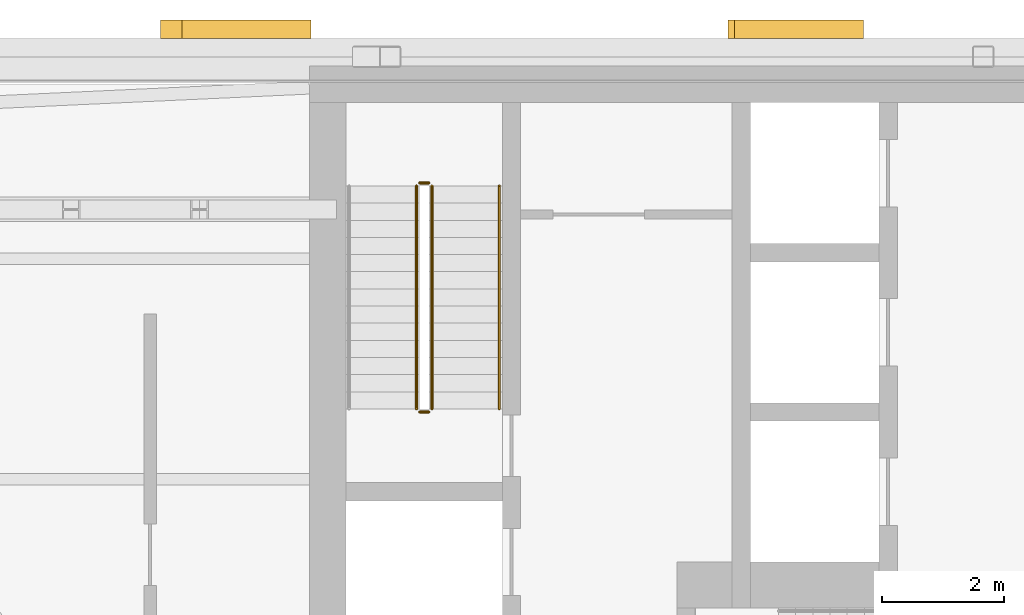
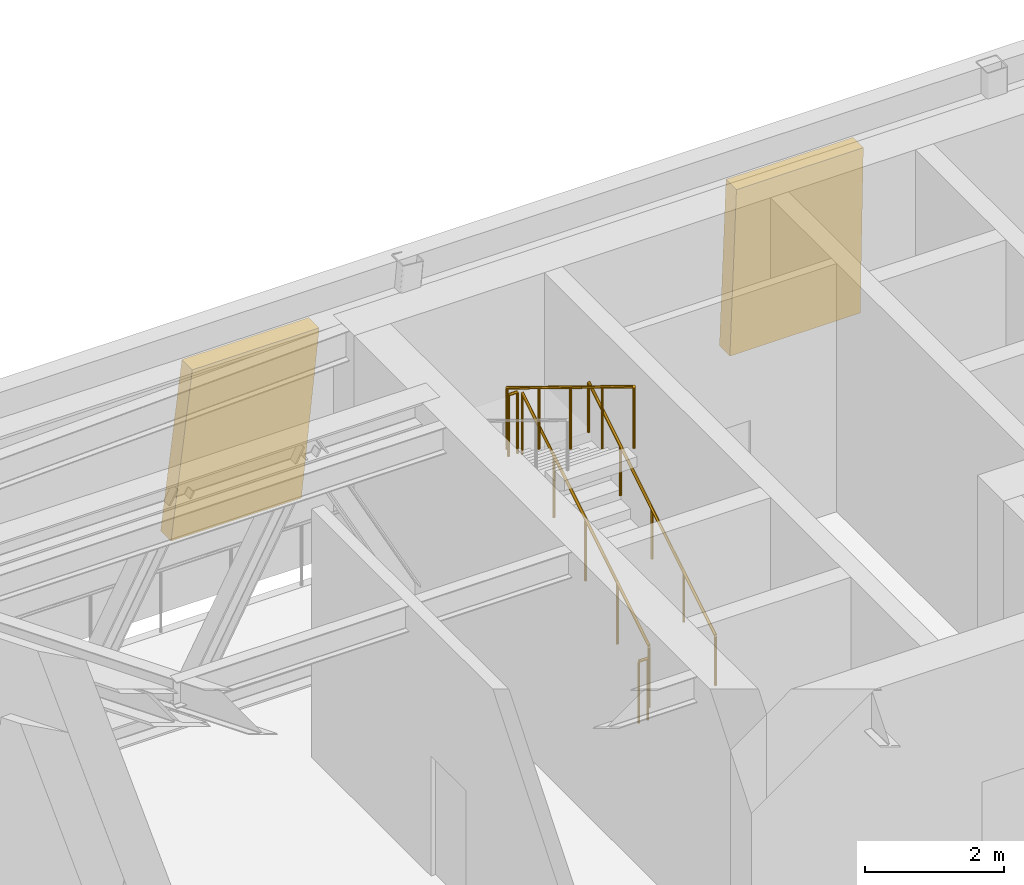
# One storey, part 9 of 11: 5 railings, 2 shading devices.
"""IFC4 building model written with IfcOpenShell, lengths in metres."""

from ifc_helpers import new_model, si_unit, direction, frame, origin, origin_2d, place, context, subcontext, project, spatial, polyline, circle, outline, extrude, material, layer, layer_set, type_object, element, save


model = new_model("IFC4")

# Units and contexts
model_context = context("Model", 3, precision=1e-05, world=origin(), true_north=direction((0.0, 1.0)))
body_context = subcontext(model_context, "Body", "Model", "MODEL_VIEW")
ifc_project = project(units=[si_unit("LENGTHUNIT", "METRE"), si_unit("AREAUNIT", "SQUARE_METRE"), si_unit("VOLUMEUNIT", "CUBIC_METRE"), si_unit("PLANEANGLEUNIT", "RADIAN"), si_unit("MASSUNIT", "GRAM", prefix="KILO")], contexts=[model_context])

# Site, building, storey
site_placement = place(None, origin())
site = spatial("IfcSite", under=ifc_project, at=site_placement, CompositionType="ELEMENT")
building_placement = place(site_placement, origin())
building = spatial("IfcBuilding", under=site, at=building_placement, Name="Aloe Facet Convention Tower", CompositionType="ELEMENT")
storey_placement = place(building_placement, frame((0.0, 0.0, 175.39990234375)))
storey = spatial("IfcBuildingStorey", under=building, at=storey_placement, Name="L44", CompositionType="ELEMENT", Elevation=175.39990234375)

# Railings
ifc_material_1 = material(Name="Steel S355 balustrade", Category="steel")
railing_type_1 = type_object("IfcRailingType", Name="CR-RL-GUARD", PredefinedType="GUARDRAIL", material=ifc_material_1)
railing_1_placement = place(storey_placement, frame((71.0, 128.949951171875, 0.171630859375)))
element("IfcRailing", 1, at=railing_1_placement, inside=storey, type_object=railing_type_1, Name="L44 ST1 stair guard 1", PredefinedType="GUARDRAIL", context=body_context, shape_type="SweptSolid", body=[
    extrude(circle(Radius=0.02392578125, at=origin_2d()), frame((0.0, 0.0, 1.076171875), z_axis=(0.0, 0.852865859571, 0.52213008492), x_axis=(-1.0, 0.0, 0.0)), (0.0, 0.0, 1.0), 4.26806640625),
    extrude(circle(Radius=0.02099609375, at=origin_2d()), origin(), (0.0, 0.0, 1.0), 1.052001953125),
    extrude(circle(Radius=0.02099609375, at=origin_2d()), frame((0.0, 0.91015625, 0.55712890625)), (0.0, 0.0, 1.0), 1.052001953125),
    extrude(circle(Radius=0.02099609375, at=origin_2d()), frame((0.0, 1.820068359375, 1.1142578125)), (0.0, 0.0, 1.0), 1.052001953125),
    extrude(circle(Radius=0.02099609375, at=origin_2d()), frame((0.0, 2.72998046875, 1.67138671875)), (0.0, 0.0, 1.0), 1.052001953125),
    extrude(circle(Radius=0.02099609375, at=origin_2d()), frame((0.0, 3.64013671875, 2.228515625)), (0.0, 0.0, 1.0), 1.052001953125),
])
railing_2_placement = place(storey_placement, frame((70.949951171875, 132.639892578125, 2.400146484375)))
element("IfcRailing", 2, at=railing_2_placement, inside=storey, type_object=railing_type_1, Name="L44 ST1 stair guard 2", PredefinedType="GUARDRAIL", context=body_context, shape_type="SweptSolid", body=[
    extrude(circle(Radius=0.02392578125, at=origin_2d()), frame((0.0, 0.0, 1.076171875), z_axis=(-1.0, 0.0, 0.0), x_axis=(0.0, -1.0, 0.0)), (0.0, 0.0, 1.0), 0.14990234375),
    extrude(circle(Radius=0.02099609375, at=origin_2d()), origin(), (0.0, 0.0, 1.0), 1.052001953125),
    extrude(circle(Radius=0.02099609375, at=origin_2d()), frame((-0.14990234375, 0.0, 0.0)), (0.0, 0.0, 1.0), 1.052001953125),
])
railing_3_placement = place(storey_placement, frame((70.75, 132.590087890625, 2.571533203125)))
element("IfcRailing", 3, at=railing_3_placement, inside=storey, type_object=railing_type_1, Name="L44 ST1 stair guard 3", PredefinedType="GUARDRAIL", context=body_context, shape_type="SweptSolid", body=[
    extrude(circle(Radius=0.02392578125, at=origin_2d()), frame((0.0, 0.0, 1.076171875), z_axis=(0.0, -0.852865859571, 0.52213008492), x_axis=(1.0, 0.0, 0.0)), (0.0, 0.0, 1.0), 4.26806640625),
    extrude(circle(Radius=0.02099609375, at=origin_2d()), origin(), (0.0, 0.0, 1.0), 1.052001953125),
    extrude(circle(Radius=0.02099609375, at=origin_2d()), frame((0.0, -0.91015625, 0.55712890625)), (0.0, 0.0, 1.0), 1.052001953125),
    extrude(circle(Radius=0.02099609375, at=origin_2d()), frame((0.0, -1.820068359375, 1.1142578125)), (0.0, 0.0, 1.0), 1.052001953125),
    extrude(circle(Radius=0.02099609375, at=origin_2d()), frame((0.0, -2.72998046875, 1.67138671875)), (0.0, 0.0, 1.0), 1.052001953125),
    extrude(circle(Radius=0.02099609375, at=origin_2d()), frame((0.0, -3.64013671875, 2.228515625)), (0.0, 0.0, 1.0), 1.052001953125),
])
railing_4_placement = place(storey_placement, frame((70.949951171875, 128.89990234375, 0.0)))
element("IfcRailing", 4, at=railing_4_placement, inside=storey, type_object=railing_type_1, Name="L44 ST1 stair guard 4", PredefinedType="GUARDRAIL", context=body_context, shape_type="SweptSolid", body=[
    extrude(circle(Radius=0.02392578125, at=origin_2d()), frame((0.0, 0.0, 1.076171875), z_axis=(-1.0, 0.0, 0.0), x_axis=(0.0, -1.0, 0.0)), (0.0, 0.0, 1.0), 0.14990234375),
    extrude(circle(Radius=0.02099609375, at=origin_2d()), origin(), (0.0, 0.0, 1.0), 1.052001953125),
    extrude(circle(Radius=0.02099609375, at=origin_2d()), frame((-0.14990234375, 0.0, 0.0)), (0.0, 0.0, 1.0), 1.052001953125),
])
ifc_material_2 = material(Name="Steel S355 handrail", Category="steel")
railing_type_2 = type_object("IfcRailingType", Name="CR-RL-HAND", PredefinedType="HANDRAIL", material=ifc_material_2)
railing_5_placement = place(storey_placement, frame((72.10009765625, 128.949951171875, 0.171630859375)))
element("IfcRailing", 5, at=railing_5_placement, inside=storey, type_object=railing_type_2, Name="L44 ST1 stair handrail 1", PredefinedType="HANDRAIL", context=body_context, shape_type="SweptSolid", body=[
    extrude(circle(Radius=0.02392578125, at=origin_2d()), frame((0.0, 0.0, 0.8759765625), z_axis=(0.0, 0.852865859571, 0.52213008492), x_axis=(-1.0, 0.0, 0.0)), (0.0, 0.0, 1.0), 4.26806640625),
    extrude(circle(Radius=0.02099609375, at=origin_2d()), origin(), (0.0, 0.0, 1.0), 0.851806640625),
    extrude(circle(Radius=0.02099609375, at=origin_2d()), frame((0.0, 0.91015625, 0.55712890625)), (0.0, 0.0, 1.0), 0.851806640625),
    extrude(circle(Radius=0.02099609375, at=origin_2d()), frame((0.0, 1.820068359375, 1.1142578125)), (0.0, 0.0, 1.0), 0.851806640625),
    extrude(circle(Radius=0.02099609375, at=origin_2d()), frame((0.0, 2.72998046875, 1.67138671875)), (0.0, 0.0, 1.0), 0.851806640625),
    extrude(circle(Radius=0.02099609375, at=origin_2d()), frame((0.0, 3.64013671875, 2.228515625)), (0.0, 0.0, 1.0), 0.851806640625),
])

# Shading devices
ifc_material_3 = material(Name="Aluminium, anodised", Category="aluminium")
ifc_layer = layer(ifc_material_3, 0.300048828125)
ifc_layer_set = layer_set([ifc_layer], Name="EV-LOUVRE-BELT")
shading_device_type = type_object("IfcShadingDeviceType", Name="EV-LOUVRE-BELT", PredefinedType="JALOUSIE", material=ifc_layer_set)
shading_device_1_placement = place(storey_placement, frame((77.9931640625, 135.300048828125, 0.960205078125), z_axis=(0.0, 1.0, 0.0), x_axis=(-1.0, 0.0, 0.0)))
element("IfcShadingDevice", 6, at=shading_device_1_placement, inside=storey, type_object=shading_device_type, Name="LOUVRE L44-N08", PredefinedType="JALOUSIE", context=body_context, shape_type="SweptSolid", body=[
    extrude(outline(polyline([(0.0, 0.0), (2.160888671875, 0.0), (2.051513671875, 2.8798828125), (-0.052734375, 2.8798828125), (0.0, 0.0)])), origin(), (0.0, 0.0, -1.0), 0.300048828125),
])
shading_device_2_placement = place(storey_placement, frame((68.7314453125, 135.300048828125, 0.960205078125), z_axis=(0.0, 1.0, 0.0), x_axis=(-1.0, 0.0, 0.0)))
element("IfcShadingDevice", 7, at=shading_device_2_placement, inside=storey, type_object=shading_device_type, Name="LOUVRE L44-N11", PredefinedType="JALOUSIE", context=body_context, shape_type="SweptSolid", body=[
    extrude(outline(polyline([(0.0, 0.0), (2.1611328125, 0.0), (1.808349609375, 2.8798828125), (-0.2958984375, 2.8798828125), (0.0, 0.0)])), origin(), (0.0, 0.0, -1.0), 0.300048828125),
])

save(model, "model.ifc")
